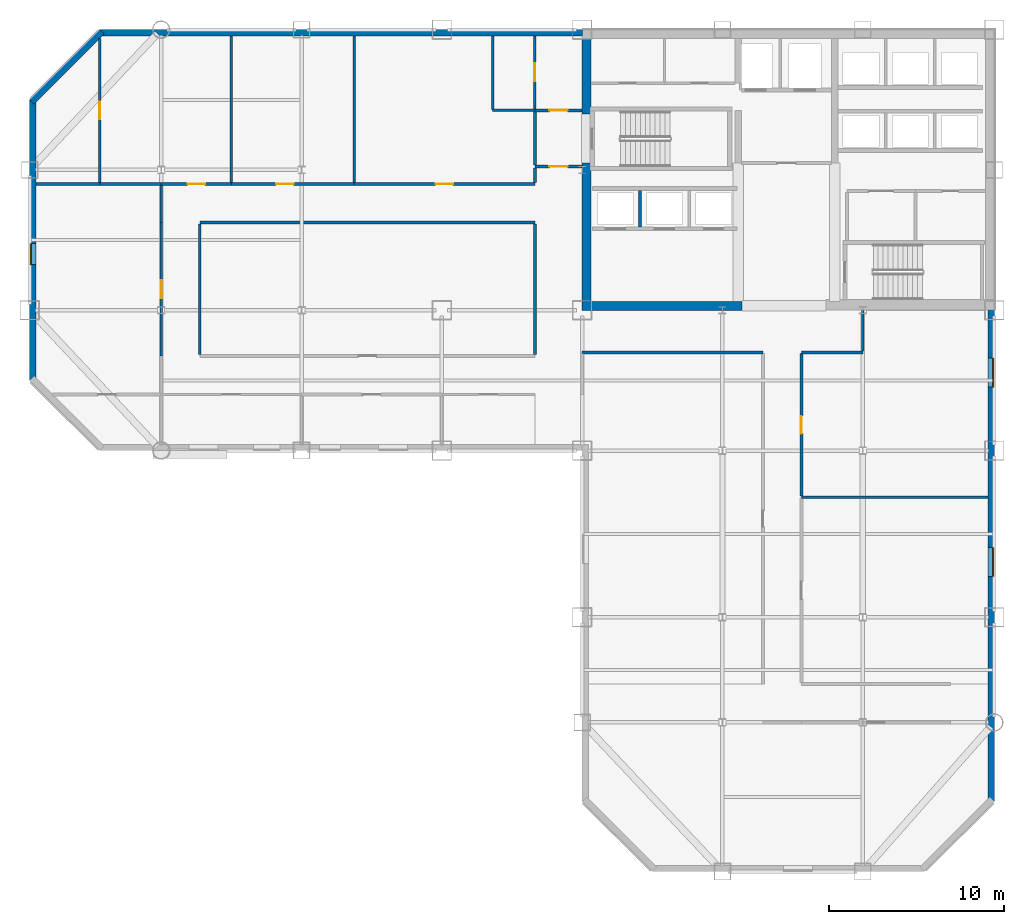
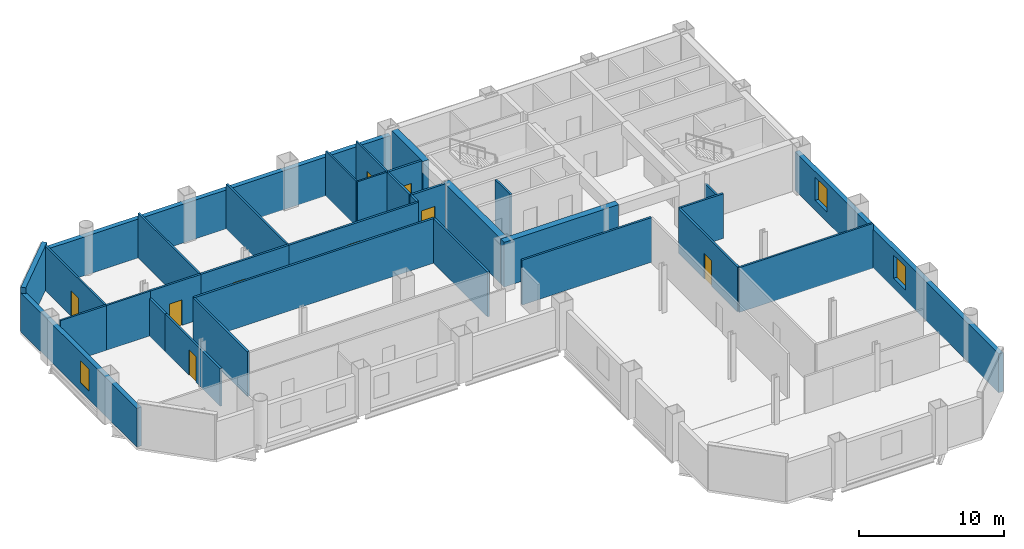
# One storey, part 6 of 10: 33 walls, 9 doors, 3 windows, 12 openings.
"""IFC4 building model written with IfcOpenShell, lengths in metres."""

from ifc_helpers import new_model, si_unit, direction, frame, frame_2d, origin, place, context, subcontext, project, spatial, rectangle, extrude, material, layer, layer_set, type_object, element, fill, save


model = new_model("IFC4")

# Units and contexts
model_context = context("Model", 3, precision=1e-05, world=origin(), true_north=direction((0.0, 1.0)))
body_context = subcontext(model_context, "Body", "Model", "MODEL_VIEW")
ifc_project = project(units=[si_unit("LENGTHUNIT", "METRE"), si_unit("AREAUNIT", "SQUARE_METRE"), si_unit("VOLUMEUNIT", "CUBIC_METRE"), si_unit("PLANEANGLEUNIT", "RADIAN"), si_unit("MASSUNIT", "GRAM", prefix="KILO")], contexts=[model_context])

# Site, building, storey
site_placement = place(None, origin())
site = spatial("IfcSite", under=ifc_project, at=site_placement, CompositionType="ELEMENT")
building_placement = place(site_placement, origin())
building = spatial("IfcBuilding", under=site, at=building_placement, Name="Qianrong Seaharbour Tower", CompositionType="ELEMENT")
storey_placement = place(building_placement, frame((0.0, 0.0, 167.0)))
storey = spatial("IfcBuildingStorey", under=building, at=storey_placement, Name="L40", CompositionType="ELEMENT", Elevation=167.0)

# Walls
ifc_material_1 = material(Name="Concrete C60/75", Category="concrete")
ifc_layer_1 = layer(ifc_material_1, 0.5)
ifc_layer_set_1 = layer_set([ifc_layer_1], Name="Concrete C60/75")
wall_type_1 = type_object("IfcWallType", Name="WALL-CORE-500", PredefinedType="SHEAR", material=ifc_layer_set_1)
wall_1_placement = place(storey_placement, frame((40.75, 36.5, 0.0), z_axis=(0.0, 0.0, 1.0), x_axis=(0.0, 1.0, 0.0)))
element("IfcWall", 1, at=wall_1_placement, inside=storey, type_object=wall_type_1, Name="L40 West Core Shear Wall South", PredefinedType="SHEAR", context=body_context, shape_type="SweptSolid", body=[
    extrude(rectangle(XDim=7.89990234375, YDim=0.5, at=frame_2d((3.949951171875, 0.0))), origin(), (0.0, 0.0, 1.0), 3.764892578125),
])
wall_2_placement = place(storey_placement, frame((40.75, 47.199951171875, 0.0), z_axis=(0.0, 0.0, 1.0), x_axis=(0.0, 1.0, 0.0)))
element("IfcWall", 2, at=wall_2_placement, inside=storey, type_object=wall_type_1, Name="L40 West Core Shear Wall North", PredefinedType="SHEAR", context=body_context, shape_type="SweptSolid", body=[
    extrude(rectangle(XDim=4.300048828125, YDim=0.5, at=frame_2d((2.14990234375, 0.0))), origin(), (0.0, 0.0, 1.0), 3.764892578125),
])
wall_3_placement = place(storey_placement, frame((40.5, 36.25, 0.0), z_axis=(0.0, 0.0, 1.0), x_axis=(1.0, 0.0, 0.0)))
element("IfcWall", 3, at=wall_3_placement, inside=storey, type_object=wall_type_1, Name="L40 South Core Shear Wall S1", PredefinedType="SHEAR", context=body_context, shape_type="SweptSolid", body=[
    extrude(rectangle(XDim=9.10009765625, YDim=0.5, at=frame_2d((4.550048828125, 0.0))), origin(), (0.0, 0.0, 1.0), 3.764892578125),
])

# Wall, opening, door
ifc_material_2 = material(Name="Fire-rated acoustic gypsum board partition")
ifc_layer_2 = layer(ifc_material_2, 0.1650390625)
ifc_layer_set_2 = layer_set([ifc_layer_2], Name="Fire-rated acoustic gypsum board partition")
wall_type_2 = type_object("IfcWallType", Name="WALL-CORR-PART-165", PredefinedType="PARTITIONING", material=ifc_layer_set_2)
wall_4_placement = place(storey_placement, frame((37.800048828125, 47.39990234375, 0.0), z_axis=(0.0, 0.0, 1.0), x_axis=(1.0, 0.0, 0.0)))
wall_4 = element("IfcWall", 4, at=wall_4_placement, inside=storey, type_object=wall_type_2, Name="L40 Interior Partition Wall 001", PredefinedType="PARTITIONING", context=body_context, shape_type="SweptSolid", body=[
    extrude(rectangle(XDim=2.699951171875, YDim=0.1650390625, at=frame_2d((1.35009765625, 0.0))), origin(), (0.0, 0.0, 1.0), 3.764892578125),
])
opening_1_placement = place(wall_4_placement, frame((0.824951171875, 0.0, 0.0)))
opening_1 = element("IfcOpeningElement", 5, at=opening_1_placement, cuts=wall_4, Name="Opening DC-01", PredefinedType="OPENING", context=body_context, shape_type="SweptSolid", body=[
    extrude(rectangle(XDim=1.050048828125, YDim=2.14990234375, at=frame_2d((0.52490234375, 1.074951171875))), frame((0.0, 0.092529296875, 0.0), z_axis=(0.0, -1.0, 0.0), x_axis=(1.0, 0.0, 0.0)), (0.0, 0.0, 1.0), 0.18505859375),
])
ifc_material_3 = material(Name="Acoustic timber and galvanized steel fire door assembly", Category="steel")
door_type_1 = type_object("IfcDoorType", Name="DOOR-CORR-FD60-1050x2150", OperationType="NOTDEFINED", PredefinedType="DOOR", material=ifc_material_3)
door_1_placement = place(opening_1_placement, origin())
door_1 = element("IfcDoor", 6, at=door_1_placement, inside=storey, type_object=door_type_1, Name="L40 Smokeproof Stair Vestibule ST-1 Door", OperationType="SINGLE_SWING_LEFT", OverallHeight=2.14990234375, OverallWidth=1.050048828125, PredefinedType="DOOR", context=body_context, shape_type="SweptSolid", body=[
    extrude(rectangle(XDim=1.050048828125, YDim=2.14990234375, at=frame_2d((0.52490234375, 1.074951171875))), frame((0.0, 0.02490234375, 0.0), z_axis=(0.0, -1.0, 0.0), x_axis=(1.0, 0.0, 0.0)), (0.0, 0.0, 1.0), 0.050048828125),
])
fill(opening_1, door_1)

wall_5_placement = place(storey_placement, frame((40.5, 44.199951171875, 0.0), z_axis=(0.0, 0.0, 1.0), x_axis=(-1.0, 0.0, 0.0)))
wall_5 = element("IfcWall", 7, at=wall_5_placement, inside=storey, type_object=wall_type_2, Name="L40 Interior Partition Wall 002", PredefinedType="PARTITIONING", context=body_context, shape_type="SweptSolid", body=[
    extrude(rectangle(XDim=2.699951171875, YDim=0.1650390625, at=frame_2d((1.35009765625, 0.0))), origin(), (0.0, 0.0, 1.0), 3.764892578125),
])
opening_2_placement = place(wall_5_placement, frame((0.824951171875, 0.0, 0.0)))
opening_2 = element("IfcOpeningElement", 8, at=opening_2_placement, cuts=wall_5, Name="Opening DC-01", PredefinedType="OPENING", context=body_context, shape_type="SweptSolid", body=[
    extrude(rectangle(XDim=1.050048828125, YDim=2.14990234375, at=frame_2d((0.52490234375, 1.074951171875))), frame((0.0, 0.092529296875, 0.0), z_axis=(0.0, -1.0, 0.0), x_axis=(1.0, 0.0, 0.0)), (0.0, 0.0, 1.0), 0.18505859375),
])
door_2_placement = place(opening_2_placement, origin())
door_2 = element("IfcDoor", 9, at=door_2_placement, inside=storey, type_object=door_type_1, Name="L40 Smokeproof Stair Vestibule ST-1 Door", OperationType="SINGLE_SWING_RIGHT", OverallHeight=2.14990234375, OverallWidth=1.050048828125, PredefinedType="DOOR", context=body_context, shape_type="SweptSolid", body=[
    extrude(rectangle(XDim=1.050048828125, YDim=2.14990234375, at=frame_2d((0.52490234375, 1.074951171875))), frame((0.0, 0.02490234375, 0.0), z_axis=(0.0, -1.0, 0.0), x_axis=(1.0, 0.0, 0.0)), (0.0, 0.0, 1.0), 0.050048828125),
])
fill(opening_2, door_2)

# Wall
wall_6_placement = place(storey_placement, frame((37.800048828125, 44.2744140625, 0.0), z_axis=(0.0, 0.0, 1.0), x_axis=(0.0, 1.0, 0.0)))
element("IfcWall", 10, at=wall_6_placement, inside=storey, type_object=wall_type_2, Name="L40 Interior Partition Wall 003", PredefinedType="PARTITIONING", context=body_context, shape_type="SweptSolid", body=[
    extrude(rectangle(XDim=3.051025390625, YDim=0.1650390625, at=frame_2d((1.525390625, 0.0))), origin(), (0.0, 0.0, 1.0), 3.764892578125),
])

# Wall, opening, door
wall_7_placement = place(storey_placement, frame((16.5, 43.199951171875, 0.0), z_axis=(0.0, 0.0, 1.0), x_axis=(1.0, 0.0, 0.0)))
wall_7 = element("IfcWall", 11, at=wall_7_placement, inside=storey, type_object=wall_type_2, Name="L40 Interior Partition Wall 020", PredefinedType="PARTITIONING", context=body_context, shape_type="SweptSolid", body=[
    extrude(rectangle(XDim=4.0, YDim=0.1650390625, at=frame_2d((2.0, 0.0))), origin(), (0.0, 0.0, 1.0), 3.764892578125),
])
opening_3_placement = place(wall_7_placement, frame((1.5, 0.0, 0.0)))
opening_3 = element("IfcOpeningElement", 12, at=opening_3_placement, cuts=wall_7, Name="Opening DO-01", PredefinedType="OPENING", context=body_context, shape_type="SweptSolid", body=[
    extrude(rectangle(XDim=1.0, YDim=2.14990234375, at=frame_2d((0.5, 1.074951171875))), frame((0.0, 0.092529296875, 0.0), z_axis=(0.0, -1.0, 0.0), x_axis=(1.0, 0.0, 0.0)), (0.0, 0.0, 1.0), 0.18505859375),
])
door_type_2 = type_object("IfcDoorType", Name="DOOR-OFFICE-1000x2150", OperationType="NOTDEFINED", PredefinedType="DOOR", material=ifc_material_3)
door_3_placement = place(opening_3_placement, origin())
door_3 = element("IfcDoor", 13, at=door_3_placement, inside=storey, type_object=door_type_2, Name="L40 Physiotherapy Room 2 Door", OperationType="SINGLE_SWING_RIGHT", OverallHeight=2.14990234375, OverallWidth=1.0, PredefinedType="DOOR", context=body_context, shape_type="SweptSolid", body=[
    extrude(rectangle(XDim=1.0, YDim=2.14990234375, at=frame_2d((0.5, 1.074951171875))), frame((0.0, 0.02490234375, 0.0), z_axis=(0.0, -1.0, 0.0), x_axis=(1.0, 0.0, 0.0)), (0.0, 0.0, 1.0), 0.050048828125),
])
fill(opening_3, door_3)

wall_8_placement = place(storey_placement, frame((20.5, 43.199951171875, 0.0), z_axis=(0.0, 0.0, 1.0), x_axis=(1.0, 0.0, 0.0)))
wall_8 = element("IfcWall", 14, at=wall_8_placement, inside=storey, type_object=wall_type_2, Name="L40 Interior Partition Wall 021", PredefinedType="PARTITIONING", context=body_context, shape_type="SweptSolid", body=[
    extrude(rectangle(XDim=7.0, YDim=0.1650390625, at=frame_2d((3.5, 0.0))), origin(), (0.0, 0.0, 1.0), 3.764892578125),
])
opening_4_placement = place(wall_8_placement, frame((2.550048828125, 0.0, 0.0)))
opening_4 = element("IfcOpeningElement", 15, at=opening_4_placement, cuts=wall_8, Name="Opening DO-01", PredefinedType="OPENING", context=body_context, shape_type="SweptSolid", body=[
    extrude(rectangle(XDim=1.0, YDim=2.14990234375, at=frame_2d((0.5, 1.074951171875))), frame((0.0, 0.092529296875, 0.0), z_axis=(0.0, -1.0, 0.0), x_axis=(1.0, 0.0, 0.0)), (0.0, 0.0, 1.0), 0.18505859375),
])
door_4_placement = place(opening_4_placement, origin())
door_4 = element("IfcDoor", 16, at=door_4_placement, inside=storey, type_object=door_type_2, Name="L40 First Aid Nursing Room 3 Door", OperationType="SINGLE_SWING_LEFT", OverallHeight=2.14990234375, OverallWidth=1.0, PredefinedType="DOOR", context=body_context, shape_type="SweptSolid", body=[
    extrude(rectangle(XDim=1.0, YDim=2.14990234375, at=frame_2d((0.5, 1.074951171875))), frame((0.0, 0.02490234375, 0.0), z_axis=(0.0, -1.0, 0.0), x_axis=(1.0, 0.0, 0.0)), (0.0, 0.0, 1.0), 0.050048828125),
])
fill(opening_4, door_4)

wall_9_placement = place(storey_placement, frame((27.5, 43.199951171875, 0.0), z_axis=(0.0, 0.0, 1.0), x_axis=(1.0, 0.0, 0.0)))
wall_9 = element("IfcWall", 17, at=wall_9_placement, inside=storey, type_object=wall_type_2, Name="L40 Interior Partition Wall 022", PredefinedType="PARTITIONING", context=body_context, shape_type="SweptSolid", body=[
    extrude(rectangle(XDim=10.300048828125, YDim=0.1650390625, at=frame_2d((5.14990234375, 0.0))), origin(), (0.0, 0.0, 1.0), 3.764892578125),
])
opening_5_placement = place(wall_9_placement, frame((4.64990234375, 0.0, 0.0)))
opening_5 = element("IfcOpeningElement", 18, at=opening_5_placement, cuts=wall_9, Name="Opening DO-01", PredefinedType="OPENING", context=body_context, shape_type="SweptSolid", body=[
    extrude(rectangle(XDim=1.0, YDim=2.14990234375, at=frame_2d((0.5, 1.074951171875))), frame((0.0, 0.092529296875, 0.0), z_axis=(0.0, -1.0, 0.0), x_axis=(1.0, 0.0, 0.0)), (0.0, 0.0, 1.0), 0.18505859375),
])
door_5_placement = place(opening_5_placement, origin())
door_5 = element("IfcDoor", 19, at=door_5_placement, inside=storey, type_object=door_type_2, Name="L40 Case Coordinator Office 4 Door", OperationType="SINGLE_SWING_RIGHT", OverallHeight=2.14990234375, OverallWidth=1.0, PredefinedType="DOOR", context=body_context, shape_type="SweptSolid", body=[
    extrude(rectangle(XDim=1.0, YDim=2.14990234375, at=frame_2d((0.5, 1.074951171875))), frame((0.0, 0.02490234375, 0.0), z_axis=(0.0, -1.0, 0.0), x_axis=(1.0, 0.0, 0.0)), (0.0, 0.0, 1.0), 0.050048828125),
])
fill(opening_5, door_5)

# Walls
wall_10_placement = place(storey_placement, frame((37.800048828125, 41.0, 0.0), z_axis=(0.0, 0.0, 1.0), x_axis=(-1.0, 0.0, 0.0)))
element("IfcWall", 20, at=wall_10_placement, inside=storey, type_object=wall_type_2, Name="L40 Interior Partition Wall 023", PredefinedType="PARTITIONING", context=body_context, shape_type="SweptSolid", body=[
    extrude(rectangle(XDim=19.10009765625, YDim=0.1650390625, at=frame_2d((9.550048828125, 0.0))), origin(), (0.0, 0.0, 1.0), 3.764892578125),
])
wall_11_placement = place(storey_placement, frame((16.5, 41.0, 0.0), z_axis=(0.0, 0.0, 1.0), x_axis=(0.0, 1.0, 0.0)))
element("IfcWall", 21, at=wall_11_placement, inside=storey, type_object=wall_type_2, Name="L40 Interior Partition Wall 024", PredefinedType="PARTITIONING", context=body_context, shape_type="SweptSolid", body=[
    extrude(rectangle(XDim=2.12548828125, YDim=0.1650390625, at=frame_2d((1.062744140625, 0.0))), origin(), (0.0, 0.0, 1.0), 3.156982421875),
])
wall_12_placement = place(storey_placement, frame((18.699951171875, 40.925537109375, 0.0), z_axis=(0.0, 0.0, 1.0), x_axis=(0.0, -1.0, 0.0)))
element("IfcWall", 22, at=wall_12_placement, inside=storey, type_object=wall_type_2, Name="L40 Interior Partition Wall 025", PredefinedType="PARTITIONING", context=body_context, shape_type="SweptSolid", body=[
    extrude(rectangle(XDim=7.450927734375, YDim=0.1650390625, at=frame_2d((3.7255859375, 0.0))), origin(), (0.0, 0.0, 1.0), 3.764892578125),
])

# Wall, opening, door
wall_13_placement = place(storey_placement, frame((16.5, 33.39990234375, 0.0), z_axis=(0.0, 0.0, 1.0), x_axis=(0.0, 1.0, 0.0)))
wall_13 = element("IfcWall", 23, at=wall_13_placement, inside=storey, type_object=wall_type_2, Name="L40 Interior Partition Wall 026", PredefinedType="PARTITIONING", context=body_context, shape_type="SweptSolid", body=[
    extrude(rectangle(XDim=7.60009765625, YDim=0.1650390625, at=frame_2d((3.800048828125, 0.0))), origin(), (0.0, 0.0, 1.0), 3.156982421875),
])
opening_6_placement = place(wall_13_placement, frame((3.300048828125, 0.0, 0.0)))
opening_6 = element("IfcOpeningElement", 24, at=opening_6_placement, cuts=wall_13, Name="Opening DO-01", PredefinedType="OPENING", context=body_context, shape_type="SweptSolid", body=[
    extrude(rectangle(XDim=1.0, YDim=2.14990234375, at=frame_2d((0.5, 1.074951171875))), frame((0.0, 0.092529296875, 0.0), z_axis=(0.0, -1.0, 0.0), x_axis=(1.0, 0.0, 0.0)), (0.0, 0.0, 1.0), 0.18505859375),
])
door_6_placement = place(opening_6_placement, origin())
door_6 = element("IfcDoor", 25, at=door_6_placement, inside=storey, type_object=door_type_2, Name="L40 Ergonomics Assessment Hall Door", OperationType="SINGLE_SWING_RIGHT", OverallHeight=2.14990234375, OverallWidth=1.0, PredefinedType="DOOR", context=body_context, shape_type="SweptSolid", body=[
    extrude(rectangle(XDim=1.0, YDim=2.14990234375, at=frame_2d((0.5, 1.074951171875))), frame((0.0, 0.02490234375, 0.0), z_axis=(0.0, -1.0, 0.0), x_axis=(1.0, 0.0, 0.0)), (0.0, 0.0, 1.0), 0.050048828125),
])
fill(opening_6, door_6)

# Walls
wall_14_placement = place(storey_placement, frame((37.800048828125, 43.2744140625, 0.0), z_axis=(0.0, 0.0, 1.0), x_axis=(0.0, 1.0, 0.0)))
element("IfcWall", 26, at=wall_14_placement, inside=storey, type_object=wall_type_2, Name="L40 Interior Partition Wall 027", PredefinedType="PARTITIONING", context=body_context, shape_type="SweptSolid", body=[
    extrude(rectangle(XDim=0.85107421875, YDim=0.1650390625, at=frame_2d((0.425537109375, 0.0))), origin(), (0.0, 0.0, 1.0), 3.764892578125),
])
wall_15_placement = place(storey_placement, frame((37.800048828125, 33.474609375, 0.0), z_axis=(0.0, 0.0, 1.0), x_axis=(0.0, 1.0, 0.0)))
element("IfcWall", 27, at=wall_15_placement, inside=storey, type_object=wall_type_2, Name="L40 Interior Partition Wall 028", PredefinedType="PARTITIONING", context=body_context, shape_type="SweptSolid", body=[
    extrude(rectangle(XDim=7.450927734375, YDim=0.1650390625, at=frame_2d((3.7255859375, 0.0))), origin(), (0.0, 0.0, 1.0), 3.764892578125),
])
wall_16_placement = place(storey_placement, frame((56.5, 36.0, 0.0), z_axis=(0.0, 0.0, 1.0), x_axis=(0.0, -1.0, 0.0)))
element("IfcWall", 28, at=wall_16_placement, inside=storey, type_object=wall_type_2, Name="L40 Interior Partition Wall 030", PredefinedType="PARTITIONING", context=body_context, shape_type="SweptSolid", body=[
    extrude(rectangle(XDim=2.325439453125, YDim=0.1650390625, at=frame_2d((1.16259765625, 0.0))), origin(), (0.0, 0.0, 1.0), 3.156982421875),
])
wall_17_placement = place(storey_placement, frame((56.5, 33.60009765625, 0.0), z_axis=(0.0, 0.0, 1.0), x_axis=(-1.0, 0.0, 0.0)))
element("IfcWall", 29, at=wall_17_placement, inside=storey, type_object=wall_type_2, Name="L40 Interior Partition Wall 031", PredefinedType="PARTITIONING", context=body_context, shape_type="SweptSolid", body=[
    extrude(rectangle(XDim=3.5, YDim=0.1650390625, at=frame_2d((1.75, 0.0))), origin(), (0.0, 0.0, 1.0), 3.764892578125),
])
wall_18_placement = place(storey_placement, frame((50.800048828125, 33.60009765625, 0.0), z_axis=(0.0, 0.0, 1.0), x_axis=(-1.0, 0.0, 0.0)))
element("IfcWall", 30, at=wall_18_placement, inside=storey, type_object=wall_type_2, Name="L40 Interior Partition Wall 032", PredefinedType="PARTITIONING", context=body_context, shape_type="SweptSolid", body=[
    extrude(rectangle(XDim=10.300048828125, YDim=0.1650390625, at=frame_2d((5.14990234375, 0.0))), origin(), (0.0, 0.0, 1.0), 3.764892578125),
])

# Wall, opening, door
wall_19_placement = place(storey_placement, frame((53.0, 33.525390625, 0.0), z_axis=(0.0, 0.0, 1.0), x_axis=(0.0, -1.0, 0.0)))
wall_19 = element("IfcWall", 31, at=wall_19_placement, inside=storey, type_object=wall_type_2, Name="L40 Interior Partition Wall 035", PredefinedType="PARTITIONING", context=body_context, shape_type="SweptSolid", body=[
    extrude(rectangle(XDim=8.11083984375, YDim=0.1650390625, at=frame_2d((4.055419921875, 0.0))), origin(), (0.0, 0.0, 1.0), 3.764892578125),
])
opening_7_placement = place(wall_19_placement, frame((3.555419921875, 0.0, 0.0)))
opening_7 = element("IfcOpeningElement", 32, at=opening_7_placement, cuts=wall_19, Name="Opening DO-01", PredefinedType="OPENING", context=body_context, shape_type="SweptSolid", body=[
    extrude(rectangle(XDim=1.0, YDim=2.14990234375, at=frame_2d((0.5, 1.074951171875))), frame((0.0, 0.092529296875, 0.0), z_axis=(0.0, -1.0, 0.0), x_axis=(1.0, 0.0, 0.0)), (0.0, 0.0, 1.0), 0.18505859375),
])
door_7_placement = place(opening_7_placement, origin())
door_7 = element("IfcDoor", 33, at=door_7_placement, inside=storey, type_object=door_type_2, Name="L40 Wellness Room 1 Door", OperationType="SINGLE_SWING_RIGHT", OverallHeight=2.14990234375, OverallWidth=1.0, PredefinedType="DOOR", context=body_context, shape_type="SweptSolid", body=[
    extrude(rectangle(XDim=1.0, YDim=2.14990234375, at=frame_2d((0.5, 1.074951171875))), frame((0.0, 0.02490234375, 0.0), z_axis=(0.0, -1.0, 0.0), x_axis=(1.0, 0.0, 0.0)), (0.0, 0.0, 1.0), 0.050048828125),
])
fill(opening_7, door_7)

# Wall, opening, window
ifc_material_4 = material(Name="Unitised red brick on Precast concrete C45/55", Category="masonry")
ifc_layer_3 = layer(ifc_material_4, 0.360107421875)
ifc_layer_set_3 = layer_set([ifc_layer_3], Name="Unitised red brick on Precast concrete C45/55")
wall_type_3 = type_object("IfcWallType", Name="WALL-EXT-BRICK-RED-360", PredefinedType="SOLIDWALL", material=ifc_layer_set_3)
wall_20_placement = place(storey_placement, frame((9.179931640625, 32.0, 0.0), z_axis=(0.0, 0.0, 1.0), x_axis=(0.0, 1.0, 0.0)))
wall_20 = element("IfcWall", 34, at=wall_20_placement, inside=storey, type_object=wall_type_3, Name="L40 Exterior Masonry Facade Wall WEST_TIP", PredefinedType="SOLIDWALL", context=body_context, shape_type="SweptSolid", body=[
    extrude(rectangle(XDim=16.0, YDim=0.360107421875, at=frame_2d((8.0, 0.0))), origin(), (0.0, 0.0, 1.0), 3.264892578125),
])
opening_8_placement = place(wall_20_placement, frame((6.60009765625, 0.0, 0.699951171875)))
opening_8 = element("IfcOpeningElement", 35, at=opening_8_placement, cuts=wall_20, Name="Opening WN-01", PredefinedType="OPENING", context=body_context, shape_type="SweptSolid", body=[
    extrude(rectangle(XDim=1.199951171875, YDim=1.85009765625, at=frame_2d((0.60009765625, 0.925048828125))), frame((0.0, 0.18994140625, 0.0), z_axis=(0.0, -1.0, 0.0), x_axis=(1.0, 0.0, 0.0)), (0.0, 0.0, 1.0), 0.380126953125),
])
ifc_material_5 = material(Name="Insulated low-e double glazing in thermally broken aluminium 6063-T6 frame", Category="aluminium")
window_type_1 = type_object("IfcWindowType", Name="WIN-PUNCH-1200x1850", PartitioningType="DOUBLE_PANEL_VERTICAL", PredefinedType="WINDOW", material=ifc_material_5)
window_1_placement = place(opening_8_placement, origin())
window_1 = element("IfcWindow", 36, at=window_1_placement, inside=storey, type_object=window_type_1, Name="L40 Deep-Set Punched Window 03.02", OverallHeight=1.85009765625, OverallWidth=1.199951171875, PartitioningType="DOUBLE_PANEL_VERTICAL", PredefinedType="WINDOW", context=body_context, shape_type="SweptSolid", body=[
    extrude(rectangle(XDim=1.199951171875, YDim=1.85009765625, at=frame_2d((0.60009765625, 0.925048828125))), frame((0.0, 0.150146484375, 0.0), z_axis=(0.0, -1.0, 0.0), x_axis=(1.0, 0.0, 0.0)), (0.0, 0.0, 1.0), 0.06005859375),
])
fill(opening_8, window_1)

# Walls
wall_21_placement = place(storey_placement, frame((9.127197265625, 47.872802734375, 0.0), z_axis=(0.0, 0.0, 1.0), x_axis=(0.707106781187, 0.707106781187, 0.0)))
element("IfcWall", 37, at=wall_21_placement, inside=storey, type_object=wall_type_3, Name="L40 Exterior Masonry Facade Wall E04", PredefinedType="SOLIDWALL", context=body_context, shape_type="SweptSolid", body=[
    extrude(rectangle(XDim=5.65673828125, YDim=0.360107421875, at=frame_2d((2.828369140625, 0.0))), origin(), (0.0, 0.0, 1.0), 3.764892578125),
])
wall_22_placement = place(storey_placement, frame((13.0, 51.820068359375, 0.0), z_axis=(0.0, 0.0, 1.0), x_axis=(1.0, 0.0, 0.0)))
element("IfcWall", 38, at=wall_22_placement, inside=storey, type_object=wall_type_3, Name="L40 Exterior Masonry Facade Wall NORTH_WING", PredefinedType="SOLIDWALL", context=body_context, shape_type="SweptSolid", body=[
    extrude(rectangle(XDim=27.52001953125, YDim=0.360107421875, at=frame_2d((13.760009765625, 0.0))), origin(), (0.0, 0.0, 1.0), 3.264892578125),
])

# Wall, openings, windows
wall_23_placement = place(storey_placement, frame((63.820068359375, 36.050048828125, 0.0), z_axis=(0.0, 0.0, 1.0), x_axis=(0.0, -1.0, 0.0)))
wall_23 = element("IfcWall", 39, at=wall_23_placement, inside=storey, type_object=wall_type_3, Name="L40 Exterior Masonry Facade Wall EAST_WING", PredefinedType="SOLIDWALL", context=body_context, shape_type="SweptSolid", body=[
    extrude(rectangle(XDim=28.050048828125, YDim=0.360107421875, at=frame_2d((14.02490234375, 0.0))), origin(), (0.0, 0.0, 1.0), 3.264892578125),
])
opening_9_placement = place(wall_23_placement, frame((2.77490234375, 0.0, 0.85009765625)))
opening_9 = element("IfcOpeningElement", 40, at=opening_9_placement, cuts=wall_23, Name="Opening WN-04", PredefinedType="OPENING", context=body_context, shape_type="SweptSolid", body=[
    extrude(rectangle(XDim=1.64990234375, YDim=1.949951171875, at=frame_2d((0.824951171875, 0.97509765625))), frame((0.0, 0.18994140625, 0.0), z_axis=(0.0, -1.0, 0.0), x_axis=(1.0, 0.0, 0.0)), (0.0, 0.0, 1.0), 0.380126953125),
])
opening_10_placement = place(wall_23_placement, frame((13.574951171875, 0.0, 0.85009765625)))
opening_10 = element("IfcOpeningElement", 41, at=opening_10_placement, cuts=wall_23, Name="Opening WN-04", PredefinedType="OPENING", context=body_context, shape_type="SweptSolid", body=[
    extrude(rectangle(XDim=1.64990234375, YDim=1.949951171875, at=frame_2d((0.824951171875, 0.97509765625))), frame((0.0, 0.18994140625, 0.0), z_axis=(0.0, -1.0, 0.0), x_axis=(1.0, 0.0, 0.0)), (0.0, 0.0, 1.0), 0.380126953125),
])
window_type_2 = type_object("IfcWindowType", Name="WIN-PUNCH-1650x1950", PartitioningType="DOUBLE_PANEL_VERTICAL", PredefinedType="WINDOW", material=ifc_material_5)
window_2_placement = place(opening_9_placement, origin())
window_2 = element("IfcWindow", 42, at=window_2_placement, inside=storey, type_object=window_type_2, Name="L40 Deep-Set Punched Window 06.01", OverallHeight=1.949951171875, OverallWidth=1.64990234375, PartitioningType="DOUBLE_PANEL_VERTICAL", PredefinedType="WINDOW", context=body_context, shape_type="SweptSolid", body=[
    extrude(rectangle(XDim=1.64990234375, YDim=1.949951171875, at=frame_2d((0.824951171875, 0.97509765625))), frame((0.0, 0.150146484375, 0.0), z_axis=(0.0, -1.0, 0.0), x_axis=(1.0, 0.0, 0.0)), (0.0, 0.0, 1.0), 0.06005859375),
])
fill(opening_9, window_2)
window_3_placement = place(opening_10_placement, origin())
window_3 = element("IfcWindow", 43, at=window_3_placement, inside=storey, type_object=window_type_2, Name="L40 Deep-Set Punched Window 06.04", OverallHeight=1.949951171875, OverallWidth=1.64990234375, PartitioningType="DOUBLE_PANEL_VERTICAL", PredefinedType="WINDOW", context=body_context, shape_type="SweptSolid", body=[
    extrude(rectangle(XDim=1.64990234375, YDim=1.949951171875, at=frame_2d((0.824951171875, 0.97509765625))), frame((0.0, 0.150146484375, 0.0), z_axis=(0.0, -1.0, 0.0), x_axis=(1.0, 0.0, 0.0)), (0.0, 0.0, 1.0), 0.06005859375),
])
fill(opening_10, window_3)

# Wall
ifc_material_6 = material(Name="Acoustic gypsum board stud partition")
ifc_layer_4 = layer(ifc_material_6, 0.14501953125)
ifc_layer_set_4 = layer_set([ifc_layer_4], Name="Acoustic gypsum board stud partition")
wall_type_4 = type_object("IfcWallType", Name="WALL-OFFICE-PART-145", PredefinedType="PARTITIONING", material=ifc_layer_set_4)
wall_24_placement = place(storey_placement, frame((53.0, 25.35009765625, 0.0), z_axis=(0.0, 0.0, 1.0), x_axis=(1.0, 0.0, 0.0)))
element("IfcWall", 44, at=wall_24_placement, inside=storey, type_object=wall_type_4, Name="L40 Interior Partition Wall 039", PredefinedType="PARTITIONING", context=body_context, shape_type="SweptSolid", body=[
    extrude(rectangle(XDim=10.64794921875, YDim=0.14501953125, at=frame_2d((5.323974609375, 0.0))), origin(), (0.0, 0.0, 1.0), 3.764892578125),
])

# Wall, opening, door
wall_25_placement = place(storey_placement, frame((13.0, 51.502197265625, 0.0), z_axis=(0.0, 0.0, 1.0), x_axis=(0.0, -1.0, 0.0)))
wall_25 = element("IfcWall", 45, at=wall_25_placement, inside=storey, type_object=wall_type_4, Name="L40 Interior Partition Wall 040", PredefinedType="PARTITIONING", context=body_context, shape_type="SweptSolid", body=[
    extrude(rectangle(XDim=8.23779296875, YDim=0.14501953125, at=frame_2d((4.118896484375, 0.0))), origin(), (0.0, 0.0, 1.0), 3.764892578125),
])
opening_11_placement = place(wall_25_placement, frame((3.618896484375, 0.0, 0.0)))
opening_11 = element("IfcOpeningElement", 46, at=opening_11_placement, cuts=wall_25, Name="Opening DO-01", PredefinedType="OPENING", context=body_context, shape_type="SweptSolid", body=[
    extrude(rectangle(XDim=1.0, YDim=2.14990234375, at=frame_2d((0.5, 1.074951171875))), frame((0.0, 0.08251953125, 0.0), z_axis=(0.0, -1.0, 0.0), x_axis=(1.0, 0.0, 0.0)), (0.0, 0.0, 1.0), 0.1650390625),
])
door_8_placement = place(opening_11_placement, origin())
door_8 = element("IfcDoor", 47, at=door_8_placement, inside=storey, type_object=door_type_2, Name="L40 Occupational Health Clinic 1 Door", OperationType="SINGLE_SWING_LEFT", OverallHeight=2.14990234375, OverallWidth=1.0, PredefinedType="DOOR", context=body_context, shape_type="SweptSolid", body=[
    extrude(rectangle(XDim=1.0, YDim=2.14990234375, at=frame_2d((0.5, 1.074951171875))), frame((0.0, 0.02490234375, 0.0), z_axis=(0.0, -1.0, 0.0), x_axis=(1.0, 0.0, 0.0)), (0.0, 0.0, 1.0), 0.050048828125),
])
fill(opening_11, door_8)

# Walls
wall_26_placement = place(storey_placement, frame((13.0, 43.199951171875, 0.0), z_axis=(0.0, 0.0, 1.0), x_axis=(-1.0, 0.0, 0.0)))
element("IfcWall", 48, at=wall_26_placement, inside=storey, type_object=wall_type_4, Name="L40 Interior Partition Wall 041", PredefinedType="PARTITIONING", context=body_context, shape_type="SweptSolid", body=[
    extrude(rectangle(XDim=3.64794921875, YDim=0.14501953125, at=frame_2d((1.823974609375, 0.0))), origin(), (0.0, 0.0, 1.0), 3.764892578125),
])
wall_27_placement = place(storey_placement, frame((20.5, 51.64794921875, 0.0), z_axis=(0.0, 0.0, 1.0), x_axis=(0.0, -1.0, 0.0)))
element("IfcWall", 49, at=wall_27_placement, inside=storey, type_object=wall_type_4, Name="L40 Interior Partition Wall 042", PredefinedType="PARTITIONING", context=body_context, shape_type="SweptSolid", body=[
    extrude(rectangle(XDim=8.37353515625, YDim=0.14501953125, at=frame_2d((4.186767578125, 0.0))), origin(), (0.0, 0.0, 1.0), 3.764892578125),
])
wall_28_placement = place(storey_placement, frame((16.5, 43.199951171875, 0.0), z_axis=(0.0, 0.0, 1.0), x_axis=(-1.0, 0.0, 0.0)))
element("IfcWall", 50, at=wall_28_placement, inside=storey, type_object=wall_type_4, Name="L40 Interior Partition Wall 043", PredefinedType="PARTITIONING", context=body_context, shape_type="SweptSolid", body=[
    extrude(rectangle(XDim=3.5, YDim=0.14501953125, at=frame_2d((1.75, 0.0))), origin(), (0.0, 0.0, 1.0), 3.764892578125),
])
wall_29_placement = place(storey_placement, frame((27.5, 51.64794921875, 0.0), z_axis=(0.0, 0.0, 1.0), x_axis=(0.0, -1.0, 0.0)))
element("IfcWall", 51, at=wall_29_placement, inside=storey, type_object=wall_type_4, Name="L40 Interior Partition Wall 044", PredefinedType="PARTITIONING", context=body_context, shape_type="SweptSolid", body=[
    extrude(rectangle(XDim=8.37353515625, YDim=0.14501953125, at=frame_2d((4.186767578125, 0.0))), origin(), (0.0, 0.0, 1.0), 3.764892578125),
])
ifc_material_7 = material(Name="Fire-rated gypsum board on steel studs", Category="steel")
ifc_layer_5 = layer(ifc_material_7, 0.14990234375)
ifc_layer_set_5 = layer_set([ifc_layer_5], Name="Fire-rated gypsum board on steel studs")
wall_type_5 = type_object("IfcWallType", Name="WALL-SHAFT-DIV-150", PredefinedType="PARTITIONING", material=ifc_layer_set_5)
wall_30_placement = place(storey_placement, frame((43.800048828125, 40.760009765625, 0.0), z_axis=(0.0, 0.0, 1.0), x_axis=(0.0, 1.0, 0.0)))
element("IfcWall", 52, at=wall_30_placement, inside=storey, type_object=wall_type_5, Name="L40 P2 Lift Hoistway Divider 2", PredefinedType="PARTITIONING", context=body_context, shape_type="SweptSolid", body=[
    extrude(rectangle(XDim=2.080078125, YDim=0.14990234375, at=frame_2d((1.0400390625, 0.0))), origin(), (0.0, 0.0, 1.0), 3.764892578125),
])

# Wall, opening, door
ifc_material_8 = material(Name="Water-resistant cement board sanitary partition")
ifc_layer_6 = layer(ifc_material_8, 0.1298828125)
ifc_layer_set_6 = layer_set([ifc_layer_6], Name="Water-resistant cement board sanitary partition")
wall_type_6 = type_object("IfcWallType", Name="WALL-WET-PART-130", PredefinedType="PARTITIONING", material=ifc_layer_set_6)
wall_31_placement = place(storey_placement, frame((37.800048828125, 47.474609375, 0.0), z_axis=(0.0, 0.0, 1.0), x_axis=(0.0, 1.0, 0.0)))
wall_31 = element("IfcWall", 53, at=wall_31_placement, inside=storey, type_object=wall_type_6, Name="L40 Interior Partition Wall 004", PredefinedType="PARTITIONING", context=body_context, shape_type="SweptSolid", body=[
    extrude(rectangle(XDim=4.17333984375, YDim=0.1298828125, at=frame_2d((2.086669921875, 0.0))), origin(), (0.0, 0.0, 1.0), 3.764892578125),
])
opening_12_placement = place(wall_31_placement, frame((1.57666015625, 0.0, 0.0)))
opening_12 = element("IfcOpeningElement", 54, at=opening_12_placement, cuts=wall_31, Name="Opening DAW-01", PredefinedType="OPENING", context=body_context, shape_type="SweptSolid", body=[
    extrude(rectangle(XDim=1.02001953125, YDim=2.14990234375, at=frame_2d((0.510009765625, 1.074951171875))), frame((0.0, 0.074951171875, 0.0), z_axis=(0.0, -1.0, 0.0), x_axis=(1.0, 0.0, 0.0)), (0.0, 0.0, 1.0), 0.14990234375),
])
door_type_3 = type_object("IfcDoorType", Name="DOOR-AWC-SLIDE-1020x2150", OperationType="SLIDING_TO_LEFT", PredefinedType="DOOR", material=ifc_material_3)
door_9_placement = place(opening_12_placement, origin())
door_9 = element("IfcDoor", 55, at=door_9_placement, inside=storey, type_object=door_type_3, Name="L40 Accessible Restroom WC Door", OperationType="SLIDING_TO_LEFT", OverallHeight=2.14990234375, OverallWidth=1.02001953125, PredefinedType="DOOR", context=body_context, shape_type="SweptSolid", body=[
    extrude(rectangle(XDim=1.02001953125, YDim=2.14990234375, at=frame_2d((0.510009765625, 1.074951171875))), frame((0.0, 0.02490234375, 0.0), z_axis=(0.0, -1.0, 0.0), x_axis=(1.0, 0.0, 0.0)), (0.0, 0.0, 1.0), 0.050048828125),
])
fill(opening_12, door_9)

# Walls
wall_32_placement = place(storey_placement, frame((37.800048828125, 47.39990234375, 0.0), z_axis=(0.0, 0.0, 1.0), x_axis=(-1.0, 0.0, 0.0)))
element("IfcWall", 56, at=wall_32_placement, inside=storey, type_object=wall_type_6, Name="L40 Interior Partition Wall 005", PredefinedType="PARTITIONING", context=body_context, shape_type="SweptSolid", body=[
    extrude(rectangle(XDim=2.400146484375, YDim=0.1298828125, at=frame_2d((1.2001953125, 0.0))), origin(), (0.0, 0.0, 1.0), 3.764892578125),
])
wall_33_placement = place(storey_placement, frame((35.39990234375, 47.45703125, 0.0), z_axis=(0.0, 0.0, 1.0), x_axis=(0.0, 1.0, 0.0)))
element("IfcWall", 57, at=wall_33_placement, inside=storey, type_object=wall_type_6, Name="L40 Interior Partition Wall 006", PredefinedType="PARTITIONING", context=body_context, shape_type="SweptSolid", body=[
    extrude(rectangle(XDim=4.19091796875, YDim=0.1298828125, at=frame_2d((2.095458984375, 0.0))), origin(), (0.0, 0.0, 1.0), 3.764892578125),
])

save(model, "model.ifc")
